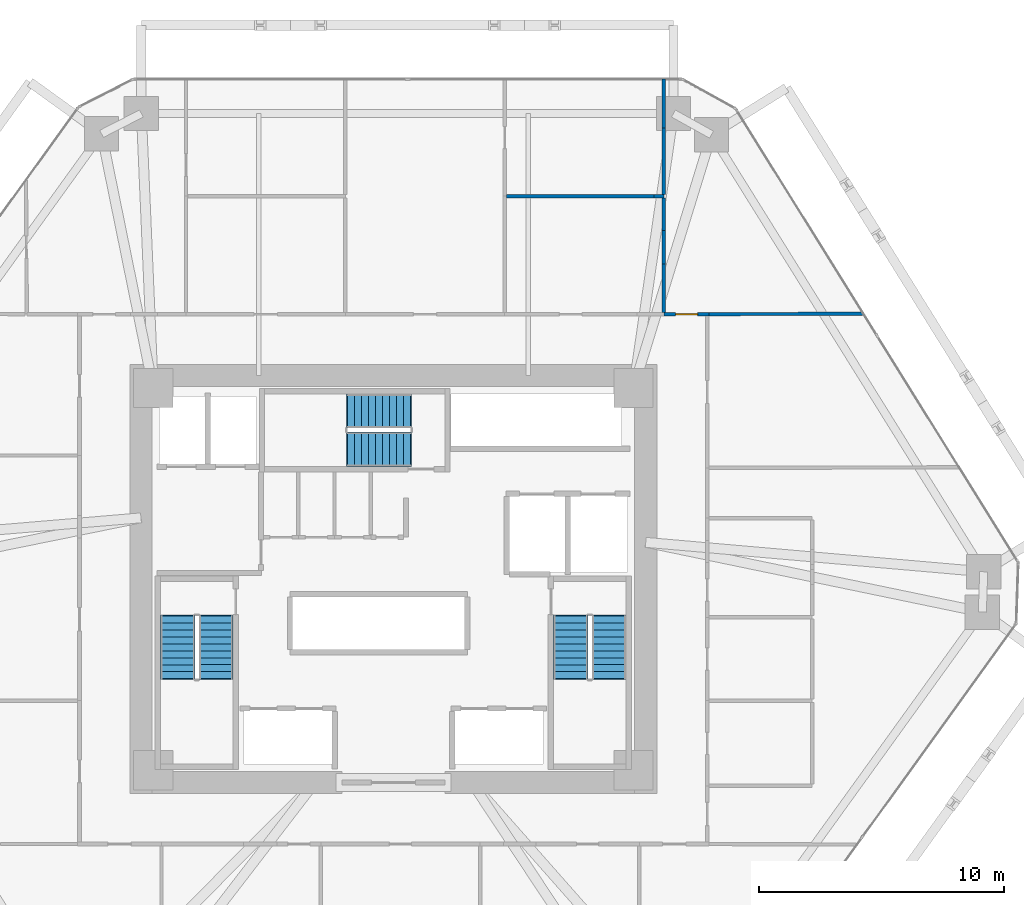
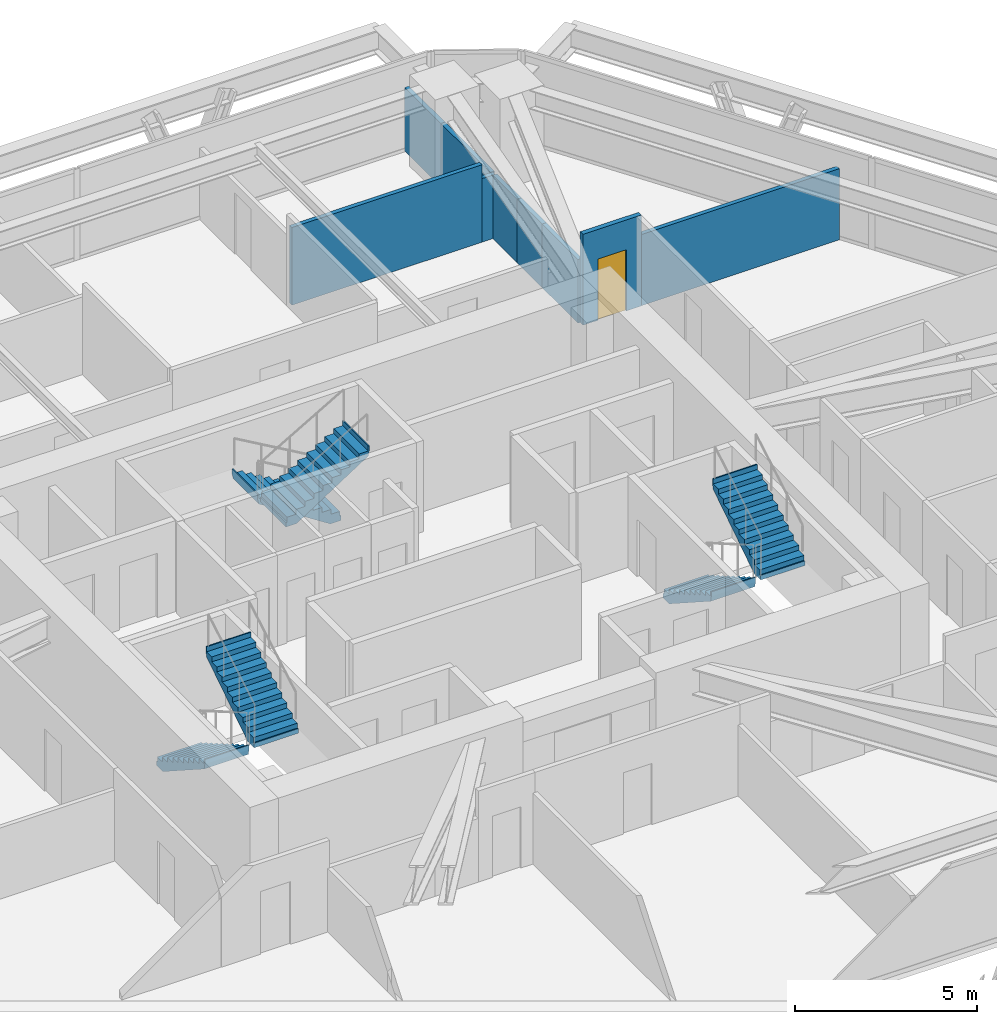
# One storey, part 14 of 15: 9 walls, 6 stair flights, 1 door, 1 opening, 3 elements without a shape of their own.
"""IFC4 building model written with IfcOpenShell, lengths in metres."""

from ifc_helpers import new_model, si_unit, direction, frame, frame_2d, origin, place, context, subcontext, project, spatial, polyline, rectangle, outline, extrude, source, transform, mapped, material, layer, layer_set, type_object, type_shapes, element, fill, aggregate, save


model = new_model("IFC4")

# Units and contexts
model_context = context("Model", 3, precision=1e-05, world=origin(), true_north=direction((0.0, 1.0)))
body_context = subcontext(model_context, "Body", "Model", "MODEL_VIEW")
ifc_project = project(units=[si_unit("LENGTHUNIT", "METRE"), si_unit("AREAUNIT", "SQUARE_METRE"), si_unit("VOLUMEUNIT", "CUBIC_METRE"), si_unit("PLANEANGLEUNIT", "RADIAN"), si_unit("MASSUNIT", "GRAM", prefix="KILO")], contexts=[model_context])

# Site, building, storey
site_placement = place(None, origin())
site = spatial("IfcSite", under=ifc_project, at=site_placement, CompositionType="ELEMENT")
building_placement = place(site_placement, origin())
building = spatial("IfcBuilding", under=site, at=building_placement, Name="Durnholm Broadcast Tower", CompositionType="ELEMENT")
storey_placement = place(building_placement, frame((0.0, 0.0, 42.300048828125)))
storey = spatial("IfcBuildingStorey", under=building, at=storey_placement, Name="L09", CompositionType="ELEMENT", Elevation=42.300048828125)

# Walls
ifc_material_1 = material(Name="Gypsum Metal Stud Partition", Category="concrete")
ifc_layer_1 = layer(ifc_material_1, 0.135009765625)
ifc_layer_set_1 = layer_set([ifc_layer_1], Name="Gypsum Metal Stud Partition")
wall_type_1 = type_object("IfcWallType", Name="WALL-PART-135", PredefinedType="PARTITIONING", material=ifc_layer_set_1)
wall_1_placement = place(storey_placement, frame((4.611572265625, 15.625, 0.0), z_axis=(0.0, 0.0, 1.0), x_axis=(1.0, 0.0, 0.0)))
element("IfcWall", 1, at=wall_1_placement, inside=storey, type_object=wall_type_1, Name="L09 room dividing partition 13.14", PredefinedType="PARTITIONING", context=body_context, shape_type="SweptSolid", body=[
    extrude(rectangle(XDim=6.02294921875, YDim=0.135009765625, at=frame_2d((3.011474609375, 0.0))), origin(), (0.0, 0.0, 1.0), 2.59765625),
])
wall_2_placement = place(storey_placement, frame((10.634521484375, 15.625, 0.0), z_axis=(0.0, 0.0, 1.0), x_axis=(1.0, 0.0, 0.0)))
element("IfcWall", 2, at=wall_2_placement, inside=storey, type_object=wall_type_1, Name="L09 room dividing partition 13.14", PredefinedType="PARTITIONING", context=body_context, shape_type="SweptSolid", body=[
    extrude(rectangle(XDim=0.405517578125, YDim=0.135009765625, at=frame_2d((0.20263671875, 0.0))), origin(), (0.0, 0.0, 1.0), 2.130126953125),
])
wall_3_placement = place(storey_placement, frame((11.0400390625, 14.218505859375, 0.0), z_axis=(0.0, 0.0, 1.0), x_axis=(0.0, -1.0, 0.0)))
element("IfcWall", 3, at=wall_3_placement, inside=storey, type_object=wall_type_1, Name="L09 room dividing partition 13.15", PredefinedType="PARTITIONING", context=body_context, shape_type="SweptSolid", body=[
    extrude(rectangle(XDim=1.3642578125, YDim=0.135009765625, at=frame_2d((0.68212890625, 0.0))), origin(), (0.0, 0.0, 1.0), 2.130126953125),
])
wall_4_placement = place(storey_placement, frame((11.0400390625, 15.553466796875, 0.0), z_axis=(0.0, 0.0, 1.0), x_axis=(0.0, -1.0, 0.0)))
element("IfcWall", 4, at=wall_4_placement, inside=storey, type_object=wall_type_1, Name="L09 room dividing partition 13.15", PredefinedType="PARTITIONING", context=body_context, shape_type="SweptSolid", body=[
    extrude(rectangle(XDim=1.3349609375, YDim=0.135009765625, at=frame_2d((0.66748046875, 0.0))), origin(), (0.0, 0.0, 1.0), 2.130126953125),
])
wall_5_placement = place(storey_placement, frame((11.0400390625, 12.854248046875, 0.0), z_axis=(0.0, 0.0, 1.0), x_axis=(0.0, -1.0, 0.0)))
element("IfcWall", 5, at=wall_5_placement, inside=storey, type_object=wall_type_1, Name="L09 room dividing partition 13.15", PredefinedType="PARTITIONING", context=body_context, shape_type="SweptSolid", body=[
    extrude(rectangle(XDim=1.96533203125, YDim=0.135009765625, at=frame_2d((0.982666015625, 0.0))), origin(), (0.0, 0.0, 1.0), 2.130126953125),
])
wall_6_placement = place(storey_placement, frame((11.0400390625, 20.39990234375, 0.0), z_axis=(0.0, 0.0, 1.0), x_axis=(0.0, -1.0, 0.0)))
element("IfcWall", 6, at=wall_6_placement, inside=storey, type_object=wall_type_1, Name="L09 room dividing partition 14.15", PredefinedType="PARTITIONING", context=body_context, shape_type="SweptSolid", body=[
    extrude(rectangle(XDim=1.990478515625, YDim=0.135009765625, at=frame_2d((0.9951171875, 0.0))), origin(), (0.0, 0.0, 1.0), 2.130126953125),
])
wall_7_placement = place(storey_placement, frame((11.0400390625, 18.409423828125, 0.0), z_axis=(0.0, 0.0, 1.0), x_axis=(0.0, -1.0, 0.0)))
element("IfcWall", 7, at=wall_7_placement, inside=storey, type_object=wall_type_1, Name="L09 room dividing partition 14.15", PredefinedType="PARTITIONING", context=body_context, shape_type="SweptSolid", body=[
    extrude(rectangle(XDim=2.712890625, YDim=0.135009765625, at=frame_2d((1.3564453125, 0.0))), origin(), (0.0, 0.0, 1.0), 2.130126953125),
])
wall_8_placement = place(storey_placement, frame((19.18212890625, 10.831298828125, 0.0), z_axis=(0.0, 0.0, 1.0), x_axis=(-0.999994432845, -0.003336806783, 0.0)))
element("IfcWall", 8, at=wall_8_placement, inside=storey, type_object=wall_type_1, Name="L09 room dividing partition 15.25", PredefinedType="PARTITIONING", context=body_context, shape_type="SweptSolid", body=[
    extrude(rectangle(XDim=6.292236328125, YDim=0.135009765625, at=frame_2d((3.14599609375, 0.0))), origin(), (0.0, 0.0, 1.0), 2.3798828125),
])

# Wall, opening, door
ifc_material_2 = material(Name="Acoustic Gypsum Stud Partition", Category="concrete")
ifc_layer_2 = layer(ifc_material_2, 0.14990234375)
ifc_layer_set_2 = layer_set([ifc_layer_2], Name="Acoustic Gypsum Stud Partition")
wall_type_2 = type_object("IfcWallType", Name="WALL-PART-150", PredefinedType="PARTITIONING", material=ifc_layer_set_2)
wall_9_placement = place(storey_placement, frame((12.889892578125, 10.81005859375, 0.0), z_axis=(0.0, 0.0, 1.0), x_axis=(-1.0, 0.0, 0.0)))
wall_9 = element("IfcWall", 9, at=wall_9_placement, inside=storey, type_object=wall_type_2, Name="L09 Reporter Office 2 corridor partition", PredefinedType="PARTITIONING", context=body_context, shape_type="SweptSolid", body=[
    extrude(rectangle(XDim=1.847412109375, YDim=0.14990234375, at=frame_2d((0.923828125, 0.0))), origin(), (0.0, 0.0, 1.0), 3.044921875),
])
opening_placement = place(wall_9_placement, frame((0.4736328125, 0.0, 0.0)))
opening = element("IfcOpeningElement", 10, at=opening_placement, cuts=wall_9, Name="Opening DW-90R", PredefinedType="OPENING", context=body_context, shape_type="SweptSolid", body=[
    extrude(rectangle(XDim=0.89990234375, YDim=2.050048828125, at=frame_2d((0.449951171875, 1.02490234375))), frame((0.0, 0.0849609375, 0.0), z_axis=(0.0, -1.0, 0.0), x_axis=(1.0, 0.0, 0.0)), (0.0, 0.0, 1.0), 0.169921875),
])
ifc_material_3 = material(Name="Laminate Restroom Door", Category="steel")
ifc_layer_3 = layer(ifc_material_3, 0.050048828125)
ifc_layer_set_3 = layer_set([ifc_layer_3], Name="Laminate Restroom Door")
door_type = type_object("IfcDoorType", Name="DOOR-WC-900R", OperationType="NOTDEFINED", PredefinedType="DOOR", material=ifc_layer_set_3)
shared_shape = source(origin(), body_context, "Body", "SweptSolid", [
    extrude(rectangle(XDim=0.89990234375, YDim=2.050048828125, at=frame_2d((0.449951171875, 1.02490234375))), frame((0.0, 0.02490234375, 0.0), z_axis=(0.0, -1.0, 0.0), x_axis=(1.0, 0.0, 0.0)), (0.0, 0.0, 1.0), 0.050048828125),
])
type_shapes(door_type, [shared_shape])
door_placement = place(opening_placement, origin())
door = element("IfcDoor", 11, at=door_placement, inside=storey, type_object=door_type, Name="L09 Reporter Office 2 entrance door", OperationType="SINGLE_SWING_RIGHT", OverallHeight=2.050048828125, OverallWidth=0.89990234375, PredefinedType="DOOR", context=body_context, shape_type="MappedRepresentation", body=[
    mapped(shared_shape, transform((0.0, 0.0, 0.0), x_axis=(1.0, 0.0, 0.0), y_axis=(0.0, 1.0, 0.0), z_axis=(0.0, 0.0, 1.0), scale=1.0)),
])
fill(opening, door)

# Stair, stair flights
ifc_material_4 = material(Name="Concrete C50/60", Category="concrete")
stair_type = type_object("IfcStairType", Name="STAIR-DL-20R1650", PredefinedType="HALF_TURN_STAIR", material=ifc_material_4)
stair_1_placement = place(storey_placement, origin())
stair_1 = element("IfcStair", 12, at=stair_1_placement, inside=storey, type_object=stair_type, Name="L09 ST-1", PredefinedType="HALF_TURN_STAIR")
stair_flight_type = type_object("IfcStairFlightType", Name="FLIGHT-DL-20R1650", PredefinedType="STRAIGHT", material=ifc_material_4)
stair_flight_1_placement = place(storey_placement, frame((-8.800048828125, -1.5, 0.0), z_axis=(0.0, 0.0, 1.0), x_axis=(0.0, -1.0, 0.0)))
stair_flight_1 = element("IfcStairFlight", 13, at=stair_flight_1_placement, type_object=stair_flight_type, Name="ST-1 flight 1", NumberOfRisers=10, NumberOfTreads=9, PredefinedType="STRAIGHT", RiserHeight=0.165, TreadLength=0.285, context=body_context, shape_type="SweptSolid", body=[
    extrude(outline(polyline([(-0.0400390625, -0.14990234375), (-0.0400390625, 0.0), (0.0, 0.0), (0.0, 0.1650390625), (0.284912109375, 0.1650390625), (0.284912109375, 0.330078125), (0.570068359375, 0.330078125), (0.570068359375, 0.4951171875), (0.85498046875, 0.4951171875), (0.85498046875, 0.659912109375), (1.139892578125, 0.659912109375), (1.139892578125, 0.824951171875), (1.425048828125, 0.824951171875), (1.425048828125, 0.989990234375), (1.7099609375, 0.989990234375), (1.7099609375, 1.155029296875), (1.9951171875, 1.155029296875), (1.9951171875, 1.320068359375), (2.280029296875, 1.320068359375), (2.280029296875, 1.485107421875), (2.56494140625, 1.485107421875), (2.56494140625, 1.64990234375), (2.60498046875, 1.64990234375), (2.60498046875, 1.5), (2.56494140625, 1.311767578125), (0.299072265625, -0.14990234375), (-0.0400390625, -0.14990234375)])), frame((0.0, 0.699951171875, 0.0), z_axis=(0.0, -1.0, 0.0), x_axis=(1.0, 0.0, 0.0)), (0.0, 0.0, 1.0), 1.39990234375),
])
stair_flight_2_placement = place(storey_placement, frame((-7.239990234375, -4.06494140625, 1.64990234375), z_axis=(0.0, 0.0, 1.0), x_axis=(0.0, 1.0, 0.0)))
stair_flight_2 = element("IfcStairFlight", 14, at=stair_flight_2_placement, type_object=stair_flight_type, Name="ST-1 flight 2", NumberOfRisers=10, NumberOfTreads=9, PredefinedType="STRAIGHT", RiserHeight=0.165, TreadLength=0.285, context=body_context, shape_type="SweptSolid", body=[
    extrude(outline(polyline([(-0.0400390625, -0.14990234375), (-0.0400390625, 0.0), (0.0, 0.0), (0.0, 0.1650390625), (0.284912109375, 0.1650390625), (0.284912109375, 0.330078125), (0.570068359375, 0.330078125), (0.570068359375, 0.4951171875), (0.85498046875, 0.4951171875), (0.85498046875, 0.659912109375), (1.139892578125, 0.659912109375), (1.139892578125, 0.824951171875), (1.425048828125, 0.824951171875), (1.425048828125, 0.989990234375), (1.7099609375, 0.989990234375), (1.7099609375, 1.155029296875), (1.9951171875, 1.155029296875), (1.9951171875, 1.320068359375), (2.280029296875, 1.320068359375), (2.280029296875, 1.485107421875), (2.56494140625, 1.485107421875), (2.56494140625, 1.64990234375), (2.60498046875, 1.64990234375), (2.60498046875, 1.5), (2.56494140625, 1.311767578125), (0.299072265625, -0.14990234375), (-0.0400390625, -0.14990234375)])), frame((0.0, 0.699951171875, 0.0), z_axis=(0.0, -1.0, 0.0), x_axis=(1.0, 0.0, 0.0)), (0.0, 0.0, 1.0), 1.39990234375),
])
aggregate(stair_1, [stair_flight_1, stair_flight_2])

stair_2_placement = place(storey_placement, origin())
stair_2 = element("IfcStair", 15, at=stair_2_placement, inside=storey, type_object=stair_type, Name="L09 ST-2", PredefinedType="HALF_TURN_STAIR")
stair_flight_3_placement = place(storey_placement, frame((7.239990234375, -1.5, 0.0), z_axis=(0.0, 0.0, 1.0), x_axis=(0.0, -1.0, 0.0)))
stair_flight_3 = element("IfcStairFlight", 16, at=stair_flight_3_placement, type_object=stair_flight_type, Name="ST-2 flight 1", NumberOfRisers=10, NumberOfTreads=9, PredefinedType="STRAIGHT", RiserHeight=0.165, TreadLength=0.285, context=body_context, shape_type="SweptSolid", body=[
    extrude(outline(polyline([(-0.0400390625, -0.14990234375), (-0.0400390625, 0.0), (0.0, 0.0), (0.0, 0.1650390625), (0.284912109375, 0.1650390625), (0.284912109375, 0.330078125), (0.570068359375, 0.330078125), (0.570068359375, 0.4951171875), (0.85498046875, 0.4951171875), (0.85498046875, 0.659912109375), (1.139892578125, 0.659912109375), (1.139892578125, 0.824951171875), (1.425048828125, 0.824951171875), (1.425048828125, 0.989990234375), (1.7099609375, 0.989990234375), (1.7099609375, 1.155029296875), (1.9951171875, 1.155029296875), (1.9951171875, 1.320068359375), (2.280029296875, 1.320068359375), (2.280029296875, 1.485107421875), (2.56494140625, 1.485107421875), (2.56494140625, 1.64990234375), (2.60498046875, 1.64990234375), (2.60498046875, 1.5), (2.56494140625, 1.311767578125), (0.299072265625, -0.14990234375), (-0.0400390625, -0.14990234375)])), frame((0.0, 0.699951171875, 0.0), z_axis=(0.0, -1.0, 0.0), x_axis=(1.0, 0.0, 0.0)), (0.0, 0.0, 1.0), 1.39990234375),
])
stair_flight_4_placement = place(storey_placement, frame((8.800048828125, -4.06494140625, 1.64990234375), z_axis=(0.0, 0.0, 1.0), x_axis=(0.0, 1.0, 0.0)))
stair_flight_4 = element("IfcStairFlight", 17, at=stair_flight_4_placement, type_object=stair_flight_type, Name="ST-2 flight 2", NumberOfRisers=10, NumberOfTreads=9, PredefinedType="STRAIGHT", RiserHeight=0.165, TreadLength=0.285, context=body_context, shape_type="SweptSolid", body=[
    extrude(outline(polyline([(-0.0400390625, -0.14990234375), (-0.0400390625, 0.0), (0.0, 0.0), (0.0, 0.1650390625), (0.284912109375, 0.1650390625), (0.284912109375, 0.330078125), (0.570068359375, 0.330078125), (0.570068359375, 0.4951171875), (0.85498046875, 0.4951171875), (0.85498046875, 0.659912109375), (1.139892578125, 0.659912109375), (1.139892578125, 0.824951171875), (1.425048828125, 0.824951171875), (1.425048828125, 0.989990234375), (1.7099609375, 0.989990234375), (1.7099609375, 1.155029296875), (1.9951171875, 1.155029296875), (1.9951171875, 1.320068359375), (2.280029296875, 1.320068359375), (2.280029296875, 1.485107421875), (2.56494140625, 1.485107421875), (2.56494140625, 1.64990234375), (2.60498046875, 1.64990234375), (2.60498046875, 1.5), (2.56494140625, 1.311767578125), (0.299072265625, -0.14990234375), (-0.0400390625, -0.14990234375)])), frame((0.0, 0.699951171875, 0.0), z_axis=(0.0, -1.0, 0.0), x_axis=(1.0, 0.0, 0.0)), (0.0, 0.0, 1.0), 1.39990234375),
])
aggregate(stair_2, [stair_flight_3, stair_flight_4])

stair_3_placement = place(storey_placement, origin())
stair_3 = element("IfcStair", 18, at=stair_3_placement, inside=storey, type_object=stair_type, Name="L09 ST-3", PredefinedType="HALF_TURN_STAIR")
stair_flight_5_placement = place(storey_placement, frame((0.699951171875, 6.860107421875, 0.0), z_axis=(0.0, 0.0, 1.0), x_axis=(-1.0, 0.0, 0.0)))
stair_flight_5 = element("IfcStairFlight", 19, at=stair_flight_5_placement, type_object=stair_flight_type, Name="ST-3 flight 1", NumberOfRisers=10, NumberOfTreads=9, PredefinedType="STRAIGHT", RiserHeight=0.165, TreadLength=0.285, context=body_context, shape_type="SweptSolid", body=[
    extrude(outline(polyline([(-0.0400390625, -0.14990234375), (-0.0400390625, 0.0), (0.0, 0.0), (0.0, 0.1650390625), (0.284912109375, 0.1650390625), (0.284912109375, 0.330078125), (0.570068359375, 0.330078125), (0.570068359375, 0.4951171875), (0.85498046875, 0.4951171875), (0.85498046875, 0.659912109375), (1.139892578125, 0.659912109375), (1.139892578125, 0.824951171875), (1.425048828125, 0.824951171875), (1.425048828125, 0.989990234375), (1.7099609375, 0.989990234375), (1.7099609375, 1.155029296875), (1.9951171875, 1.155029296875), (1.9951171875, 1.320068359375), (2.280029296875, 1.320068359375), (2.280029296875, 1.485107421875), (2.56494140625, 1.485107421875), (2.56494140625, 1.64990234375), (2.60498046875, 1.64990234375), (2.60498046875, 1.5), (2.56494140625, 1.311767578125), (0.299072265625, -0.14990234375), (-0.0400390625, -0.14990234375)])), frame((0.0, 0.699951171875, 0.0), z_axis=(0.0, -1.0, 0.0), x_axis=(1.0, 0.0, 0.0)), (0.0, 0.0, 1.0), 1.39990234375),
])
stair_flight_6_placement = place(storey_placement, frame((-1.864990234375, 5.300048828125, 1.64990234375), z_axis=(0.0, 0.0, 1.0), x_axis=(1.0, 0.0, 0.0)))
stair_flight_6 = element("IfcStairFlight", 20, at=stair_flight_6_placement, type_object=stair_flight_type, Name="ST-3 flight 2", NumberOfRisers=10, NumberOfTreads=9, PredefinedType="STRAIGHT", RiserHeight=0.165, TreadLength=0.285, context=body_context, shape_type="SweptSolid", body=[
    extrude(outline(polyline([(-0.0400390625, -0.14990234375), (-0.0400390625, 0.0), (0.0, 0.0), (0.0, 0.1650390625), (0.284912109375, 0.1650390625), (0.284912109375, 0.330078125), (0.570068359375, 0.330078125), (0.570068359375, 0.4951171875), (0.85498046875, 0.4951171875), (0.85498046875, 0.659912109375), (1.139892578125, 0.659912109375), (1.139892578125, 0.824951171875), (1.425048828125, 0.824951171875), (1.425048828125, 0.989990234375), (1.7099609375, 0.989990234375), (1.7099609375, 1.155029296875), (1.9951171875, 1.155029296875), (1.9951171875, 1.320068359375), (2.280029296875, 1.320068359375), (2.280029296875, 1.485107421875), (2.56494140625, 1.485107421875), (2.56494140625, 1.64990234375), (2.60498046875, 1.64990234375), (2.60498046875, 1.5), (2.56494140625, 1.311767578125), (0.299072265625, -0.14990234375), (-0.0400390625, -0.14990234375)])), frame((0.0, 0.699951171875, 0.0), z_axis=(0.0, -1.0, 0.0), x_axis=(1.0, 0.0, 0.0)), (0.0, 0.0, 1.0), 1.39990234375),
])
aggregate(stair_3, [stair_flight_5, stair_flight_6])

save(model, "model.ifc")
